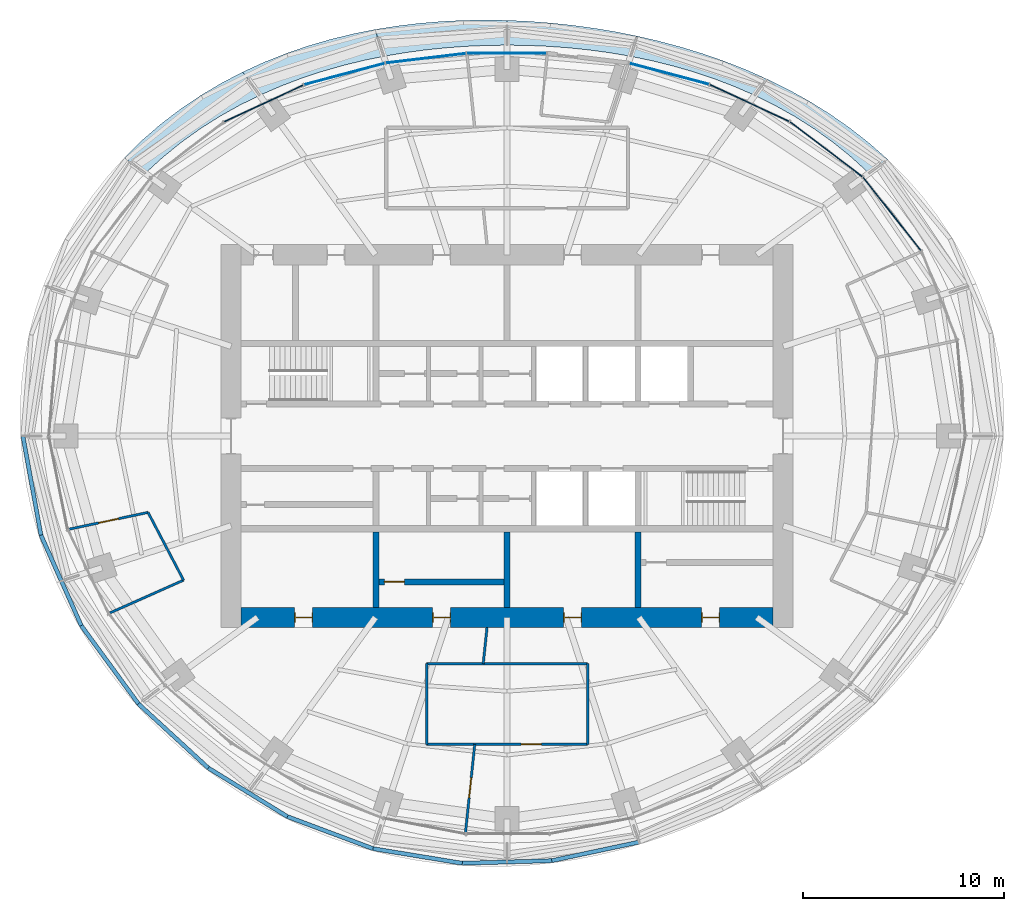
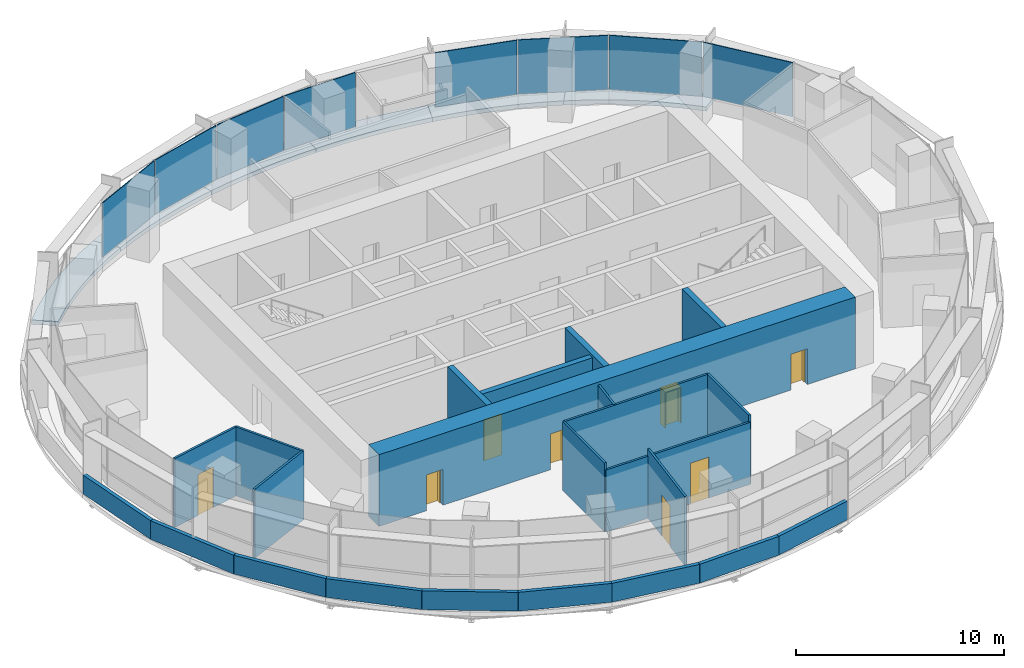
# One storey, part 10 of 15: 23 walls, 8 doors, 8 plates, 6 slabs, 8 openings, 4 elements without a shape of their own.
"""IFC4 building model written with IfcOpenShell, lengths in metres."""

from ifc_helpers import new_model, si_unit, direction, frame, frame_2d, origin, origin_2d, place, context, subcontext, project, spatial, polyline, rectangle, outline, extrude, material, layer, layer_set, type_object, element, fill, aggregate, save


model = new_model("IFC4")

# Units and contexts
model_context = context("Model", 3, precision=1e-05, world=origin(), true_north=direction((0.0, 1.0)))
body_context = subcontext(model_context, "Body", "Model", "MODEL_VIEW")
ifc_project = project(units=[si_unit("LENGTHUNIT", "METRE"), si_unit("AREAUNIT", "SQUARE_METRE"), si_unit("VOLUMEUNIT", "CUBIC_METRE"), si_unit("PLANEANGLEUNIT", "RADIAN"), si_unit("MASSUNIT", "GRAM", prefix="KILO")], contexts=[model_context])

# Site, building, storey
site_placement = place(None, origin())
site = spatial("IfcSite", under=ifc_project, at=site_placement, CompositionType="ELEMENT")
building_placement = place(site_placement, origin())
building = spatial("IfcBuilding", under=site, at=building_placement, Name="Marramba Exchange Tower", CompositionType="ELEMENT")
storey_placement = place(building_placement, frame((0.0, 0.0, 251.800048828125)))
storey = spatial("IfcBuildingStorey", under=building, at=storey_placement, Name="L61", CompositionType="ELEMENT", Elevation=251.800048828125)

# Curtain wall, plates
ifc_material_1 = material(Name="Aluminium framing, bronze anodised", Category="aluminium")
curtain_wall_type = type_object("IfcCurtainWallType", Name="Executive floor ribbon curtain wall", PredefinedType="USERDEFINED", material=ifc_material_1)
curtain_wall_1_placement = place(storey_placement, origin())
curtain_wall_1 = element("IfcCurtainWall", 1, at=curtain_wall_1_placement, inside=storey, type_object=curtain_wall_type, Name="Curtain wall CW5 L61 F01-F05", ObjectType="RIBBON CURTAIN WALL", PredefinedType="USERDEFINED")
ifc_material_2 = material(Name="Laminated double glazed unit 13.52 + 20 + 13.52, bronze tinted, acoustic interlayer", Category="glass")
ifc_layer_1 = layer(ifc_material_2, 0.047119140625)
ifc_layer_set_1 = layer_set([ifc_layer_1], Name="Executive floor ribbon curtain wall panel")
plate_type = type_object("IfcPlateType", Name="Executive floor ribbon curtain wall panel", PredefinedType="CURTAIN_PANEL", material=ifc_layer_set_1)
plate_1_placement = place(storey_placement, frame((19.10302734375, 11.02294921875, 0.85986328125), z_axis=(0.0, 0.0, 1.0), x_axis=(-0.618222857512, 0.786002861604, 0.0)))
plate_1 = element("IfcPlate", 2, at=plate_1_placement, type_object=plate_type, Name="CW5 vision panel", PredefinedType="CURTAIN_PANEL", context=body_context, shape_type="SweptSolid", body=[
    extrude(rectangle(XDim=4.624755859375, YDim=0.047119140625, at=origin_2d()), origin(), (0.0, 0.0, 1.0), 3.179931640625),
])
plate_2_placement = place(storey_placement, frame((15.83544921875, 14.23779296875, 0.85986328125), z_axis=(0.0, 0.0, 1.0), x_axis=(-0.796058900199, 0.605219156516, 0.0)))
plate_2 = element("IfcPlate", 3, at=plate_2_placement, type_object=plate_type, Name="CW5 vision panel", PredefinedType="CURTAIN_PANEL", context=body_context, shape_type="SweptSolid", body=[
    extrude(rectangle(XDim=4.49755859375, YDim=0.047119140625, at=origin_2d()), origin(), (0.0, 0.0, 1.0), 3.179931640625),
])
plate_3_placement = place(storey_placement, frame((12.03076171875, 16.533447265625, 0.85986328125), z_axis=(0.0, 0.0, 1.0), x_axis=(-0.90713057934, 0.420849274712, 0.0)))
plate_3 = element("IfcPlate", 4, at=plate_3_placement, type_object=plate_type, Name="CW5 vision panel", PredefinedType="CURTAIN_PANEL", context=body_context, shape_type="SweptSolid", body=[
    extrude(rectangle(XDim=4.321533203125, YDim=0.047119140625, at=origin_2d()), origin(), (0.0, 0.0, 1.0), 3.179931640625),
])
aggregate(curtain_wall_1, [plate_1, plate_2, plate_3])

# Curtain wall, plate
curtain_wall_2_placement = place(storey_placement, origin())
curtain_wall_2 = element("IfcCurtainWall", 5, at=curtain_wall_2_placement, inside=storey, type_object=curtain_wall_type, Name="Curtain wall CW5 L61 F06", ObjectType="RIBBON CURTAIN WALL", PredefinedType="USERDEFINED")
plate_4_placement = place(storey_placement, frame((8.04345703125, 17.97998046875, 0.85986328125), z_axis=(0.0, 0.0, 1.0), x_axis=(-0.966643517501, 0.256125574813, 0.0)))
plate_4 = element("IfcPlate", 6, at=plate_4_placement, type_object=plate_type, Name="CW5 vision panel", PredefinedType="CURTAIN_PANEL", context=body_context, shape_type="SweptSolid", body=[
    extrude(rectangle(XDim=4.073974609375, YDim=0.047119140625, at=origin_2d()), origin(), (0.0, 0.0, 1.0), 3.179931640625),
])
aggregate(curtain_wall_2, [plate_4])

# Curtain wall, plates
curtain_wall_3_placement = place(storey_placement, origin())
curtain_wall_3 = element("IfcCurtainWall", 7, at=curtain_wall_3_placement, inside=storey, type_object=curtain_wall_type, Name="Curtain wall CW5 L61 F08-F10", ObjectType="RIBBON CURTAIN WALL", PredefinedType="USERDEFINED")
plate_5_placement = place(storey_placement, frame((-0.030029296875, 18.9970703125, 0.85986328125), z_axis=(0.0, 0.0, 1.0), x_axis=(-1.0, 0.0, 0.0)))
plate_5 = element("IfcPlate", 8, at=plate_5_placement, type_object=plate_type, Name="CW5 vision panel", PredefinedType="CURTAIN_PANEL", context=body_context, shape_type="SweptSolid", body=[
    extrude(rectangle(XDim=3.933349609375, YDim=0.047119140625, at=origin_2d()), origin(), (0.0, 0.0, 1.0), 3.179931640625),
])
plate_6_placement = place(storey_placement, frame((-4.036376953125, 18.75341796875, 0.85986328125), z_axis=(0.0, 0.0, 1.0), x_axis=(-0.992947253654, -0.118556954505, 0.0)))
plate_6 = element("IfcPlate", 9, at=plate_6_placement, type_object=plate_type, Name="CW5 vision panel", PredefinedType="CURTAIN_PANEL", context=body_context, shape_type="SweptSolid", body=[
    extrude(rectangle(XDim=3.988525390625, YDim=0.047119140625, at=origin_2d()), origin(), (0.0, 0.0, 1.0), 3.179931640625),
])
plate_7_placement = place(storey_placement, frame((-8.072509765625, 17.97216796875, 0.85986328125), z_axis=(0.0, 0.0, 1.0), x_axis=(-0.966643517501, -0.256125574813, 0.0)))
plate_7 = element("IfcPlate", 10, at=plate_7_placement, type_object=plate_type, Name="CW5 vision panel", PredefinedType="CURTAIN_PANEL", context=body_context, shape_type="SweptSolid", body=[
    extrude(rectangle(XDim=4.134033203125, YDim=0.047119140625, at=origin_2d()), origin(), (0.0, 0.0, 1.0), 3.179931640625),
])
aggregate(curtain_wall_3, [plate_5, plate_6, plate_7])

# Curtain wall, plate
curtain_wall_4_placement = place(storey_placement, origin())
curtain_wall_4 = element("IfcCurtainWall", 11, at=curtain_wall_4_placement, inside=storey, type_object=curtain_wall_type, Name="Curtain wall CW5 L61 F11-F15", ObjectType="RIBBON CURTAIN WALL", PredefinedType="USERDEFINED")
plate_8_placement = place(storey_placement, frame((-12.085205078125, 16.50830078125, 0.85986328125), z_axis=(0.0, 0.0, 1.0), x_axis=(-0.90713057934, -0.420849274712, 0.0)))
plate_8 = element("IfcPlate", 12, at=plate_8_placement, type_object=plate_type, Name="CW5 vision panel", PredefinedType="CURTAIN_PANEL", context=body_context, shape_type="SweptSolid", body=[
    extrude(rectangle(XDim=4.321533203125, YDim=0.047119140625, at=origin_2d()), origin(), (0.0, 0.0, 1.0), 3.179931640625),
])
aggregate(curtain_wall_4, [plate_8])

# Slabs
ifc_material_3 = material(Name="Concrete N40", Category="concrete")
ifc_layer_2 = layer(ifc_material_3, 0.25)
ifc_layer_set_2 = layer_set([ifc_layer_2], Name="Setback roof slab 250")
slab_type = type_object("IfcSlabType", Name="Setback roof slab 250", PredefinedType="ROOF", material=ifc_layer_set_2)
slab_1_placement = place(storey_placement, frame((0.0, 0.0, -0.25)))
element("IfcSlab", 13, at=slab_1_placement, inside=storey, type_object=slab_type, Name="Setback roof slab L61 bay 03 (maintenance access only)", PredefinedType="ROOF", context=body_context, shape_type="SweptSolid", body=[
    extrude(outline(polyline([(12.882568359375, 17.7314453125), (13.936767578125, 17.21044921875), (14.977294921875, 16.634033203125), (15.9990234375, 15.9990234375), (16.996826171875, 15.303955078125), (17.964111328125, 14.547119140625), (18.894287109375, 13.7275390625), (17.95654296875, 13.046142578125), (17.090576171875, 13.83984375), (16.18505859375, 14.572998046875), (15.245849609375, 15.245849609375), (14.279541015625, 15.85888671875), (13.291259765625, 16.413330078125), (12.28662109375, 16.9111328125), (12.882568359375, 17.7314453125)])), origin(), (0.0, 0.0, 1.0), 0.25),
])
slab_2_placement = place(storey_placement, frame((0.0, 0.0, -0.25)))
element("IfcSlab", 14, at=slab_2_placement, inside=storey, type_object=slab_type, Name="Setback roof slab L61 bay 04 (maintenance access only)", PredefinedType="ROOF", context=body_context, shape_type="SweptSolid", body=[
    extrude(outline(polyline([(6.451171875, 19.8544921875), (7.52587890625, 19.60546875), (8.60107421875, 19.318115234375), (9.67578125, 18.989990234375), (10.749267578125, 18.6181640625), (11.819091796875, 18.19970703125), (12.882568359375, 17.7314453125), (12.28662109375, 16.9111328125), (11.270263671875, 17.3544921875), (10.24560546875, 17.745849609375), (9.21630859375, 18.088134765625), (8.185302734375, 18.38427734375), (7.154296875, 18.63720703125), (6.124755859375, 18.849853515625), (6.451171875, 19.8544921875)])), origin(), (0.0, 0.0, 1.0), 0.25),
])
slab_3_placement = place(storey_placement, frame((0.0, 0.0, -0.25)))
element("IfcSlab", 15, at=slab_3_placement, inside=storey, type_object=slab_type, Name="Setback roof slab L61 bay 05 (maintenance access only)", PredefinedType="ROOF", context=body_context, shape_type="SweptSolid", body=[
    extrude(outline(polyline([(1.078857421875, 20.5869140625), (2.1552734375, 20.50537109375), (3.229736328125, 20.39208984375), (4.303466796875, 20.246337890625), (5.377197265625, 20.067626953125), (6.451171875, 19.8544921875), (6.124755859375, 18.849853515625), (5.09765625, 19.024658203125), (4.073486328125, 19.1640625), (3.05224609375, 19.2705078125), (2.033203125, 19.344970703125), (1.01611328125, 19.389404296875), (0.0, 19.404052734375), (0.0, 20.63623046875), (1.078857421875, 20.5869140625)])), origin(), (0.0, 0.0, 1.0), 0.25),
])
slab_4_placement = place(storey_placement, frame((0.0, 0.0, -0.25)))
element("IfcSlab", 16, at=slab_4_placement, inside=storey, type_object=slab_type, Name="Setback roof slab L61 bay 06 (maintenance access only)", PredefinedType="ROOF", context=body_context, shape_type="SweptSolid", body=[
    extrude(outline(polyline([(-6.557373046875, 20.181884765625), (-5.45458984375, 20.35693359375), (-4.35498046875, 20.4892578125), (-3.259765625, 20.580810546875), (-2.168701171875, 20.634765625), (-1.082275390625, 20.652587890625), (0.0, 20.63623046875), (0.0, 19.404052734375), (-1.01611328125, 19.389404296875), (-2.033203125, 19.344970703125), (-3.05224609375, 19.2705078125), (-4.073486328125, 19.1640625), (-5.09765625, 19.024658203125), (-6.124755859375, 18.849853515625), (-6.557373046875, 20.181884765625)])), origin(), (0.0, 0.0, 1.0), 0.25),
])
slab_5_placement = place(storey_placement, frame((0.0, 0.0, -0.25)))
element("IfcSlab", 17, at=slab_5_placement, inside=storey, type_object=slab_type, Name="Setback roof slab L61 bay 07 (maintenance access only)", PredefinedType="ROOF", context=body_context, shape_type="SweptSolid", body=[
    extrude(outline(polyline([(-12.05419921875, 18.561767578125), (-10.96630859375, 18.994384765625), (-9.869384765625, 19.369873046875), (-8.76708984375, 19.691162109375), (-7.662353515625, 19.9609375), (-6.557373046875, 20.181884765625), (-6.124755859375, 18.849853515625), (-7.154296875, 18.63720703125), (-8.185302734375, 18.38427734375), (-9.21630859375, 18.088134765625), (-10.24560546875, 17.745849609375), (-11.270263671875, 17.3544921875), (-12.28662109375, 16.9111328125), (-13.128662109375, 18.070068359375), (-12.05419921875, 18.561767578125)])), origin(), (0.0, 0.0, 1.0), 0.25),
])
slab_6_placement = place(storey_placement, frame((0.0, 0.0, -0.25)))
element("IfcSlab", 18, at=slab_6_placement, inside=storey, type_object=slab_type, Name="Setback roof slab L61 bay 08 (maintenance access only)", PredefinedType="ROOF", context=body_context, shape_type="SweptSolid", body=[
    extrude(outline(polyline([(-18.12548828125, 14.677734375), (-17.195068359375, 15.482421875), (-16.22412109375, 16.22412109375), (-15.218994140625, 16.902587890625), (-14.185546875, 17.517578125), (-13.128662109375, 18.070068359375), (-12.28662109375, 16.9111328125), (-13.291259765625, 16.413330078125), (-14.279541015625, 15.85888671875), (-15.245849609375, 15.245849609375), (-16.18505859375, 14.572998046875), (-17.090576171875, 13.83984375), (-17.95654296875, 13.046142578125), (-19.009521484375, 13.811279296875), (-18.12548828125, 14.677734375)])), origin(), (0.0, 0.0, 1.0), 0.25),
])

# Wall, openings, doors
ifc_material_4 = material(Name="Concrete N50", Category="concrete")
ifc_layer_3 = layer(ifc_material_4, 1.0)
ifc_layer_set_3 = layer_set([ifc_layer_3], Name="Core wall 1000")
wall_type_1 = type_object("IfcWallType", Name="Core wall 1000", PredefinedType="SHEAR", material=ifc_layer_set_3)
wall_1_placement = place(storey_placement, frame((-13.199951171875, -9.0, 0.0), z_axis=(0.0, 0.0, 1.0), x_axis=(1.0, 0.0, 0.0)))
wall_1 = element("IfcWall", 19, at=wall_1_placement, inside=storey, type_object=wall_type_1, Name="Core wall S L61", PredefinedType="SHEAR", context=body_context, shape_type="SweptSolid", body=[
    extrude(rectangle(XDim=26.39990234375, YDim=1.0, at=frame_2d((13.199951171875, 0.0))), origin(), (0.0, 0.0, 1.0), 4.199951171875),
])
opening_1_placement = place(wall_1_placement, frame((2.64990234375, 0.0, 0.0)))
opening_1 = element("IfcOpeningElement", 20, at=opening_1_placement, cuts=wall_1, Name="Opening D5", PredefinedType="OPENING", context=body_context, shape_type="SweptSolid", body=[
    extrude(rectangle(XDim=0.89990234375, YDim=2.10009765625, at=frame_2d((0.449951171875, 1.050048828125))), frame((0.0, 0.510009765625, 0.0), z_axis=(0.0, -1.0, 0.0), x_axis=(1.0, 0.0, 0.0)), (0.0, 0.0, 1.0), 1.02001953125),
])
opening_2_placement = place(wall_1_placement, frame((9.5, 0.0, 0.0)))
opening_2 = element("IfcOpeningElement", 21, at=opening_2_placement, cuts=wall_1, Name="Opening D5", PredefinedType="OPENING", context=body_context, shape_type="SweptSolid", body=[
    extrude(rectangle(XDim=0.89990234375, YDim=2.10009765625, at=frame_2d((0.449951171875, 1.050048828125))), frame((0.0, 0.510009765625, 0.0), z_axis=(0.0, -1.0, 0.0), x_axis=(1.0, 0.0, 0.0)), (0.0, 0.0, 1.0), 1.02001953125),
])
opening_3_placement = place(wall_1_placement, frame((16.0, 0.0, 0.0)))
opening_3 = element("IfcOpeningElement", 22, at=opening_3_placement, cuts=wall_1, Name="Opening D5", PredefinedType="OPENING", context=body_context, shape_type="SweptSolid", body=[
    extrude(rectangle(XDim=0.89990234375, YDim=2.10009765625, at=frame_2d((0.449951171875, 1.050048828125))), frame((0.0, 0.510009765625, 0.0), z_axis=(0.0, -1.0, 0.0), x_axis=(1.0, 0.0, 0.0)), (0.0, 0.0, 1.0), 1.02001953125),
])
opening_4_placement = place(wall_1_placement, frame((22.85009765625, 0.0, 0.0)))
opening_4 = element("IfcOpeningElement", 23, at=opening_4_placement, cuts=wall_1, Name="Opening D5", PredefinedType="OPENING", context=body_context, shape_type="SweptSolid", body=[
    extrude(rectangle(XDim=0.89990234375, YDim=2.10009765625, at=frame_2d((0.449951171875, 1.050048828125))), frame((0.0, 0.510009765625, 0.0), z_axis=(0.0, -1.0, 0.0), x_axis=(1.0, 0.0, 0.0)), (0.0, 0.0, 1.0), 1.02001953125),
])
ifc_material_5 = material(Name="Steel-framed door", Category="steel")
door_type_1 = type_object("IfcDoorType", Name="Service door 900x2100", OperationType="SINGLE_SWING_LEFT", PredefinedType="DOOR", material=ifc_material_5)
door_1_placement = place(opening_1_placement, origin())
door_1 = element("IfcDoor", 24, at=door_1_placement, inside=storey, type_object=door_type_1, Name="D5 ahu L61", OperationType="SINGLE_SWING_LEFT", OverallHeight=2.10009765625, OverallWidth=0.89990234375, PredefinedType="DOOR", context=body_context, shape_type="SweptSolid", body=[
    extrude(rectangle(XDim=0.81982421875, YDim=2.06005859375, at=frame_2d((0.449951171875, 1.030029296875))), frame((0.0, 0.02490234375, 0.0), z_axis=(0.0, -1.0, 0.0), x_axis=(1.0, 0.0, 0.0)), (0.0, 0.0, 1.0), 0.050048828125),
    extrude(rectangle(XDim=0.04, YDim=2.10009765625, at=frame_2d((0.02001953125, 1.050048828125))), frame((0.0, 0.25, 0.0), z_axis=(0.0, -1.0, 0.0), x_axis=(1.0, 0.0, 0.0)), (0.0, 0.0, 1.0), 0.5),
    extrude(rectangle(XDim=0.04, YDim=2.10009765625, at=frame_2d((0.8798828125, 1.050048828125))), frame((0.0, 0.25, 0.0), z_axis=(0.0, -1.0, 0.0), x_axis=(1.0, 0.0, 0.0)), (0.0, 0.0, 1.0), 0.5),
    extrude(rectangle(XDim=0.81982421875, YDim=0.04, at=frame_2d((0.449951171875, 2.080078125))), frame((0.0, 0.25, 0.0), z_axis=(0.0, -1.0, 0.0), x_axis=(1.0, 0.0, 0.0)), (0.0, 0.0, 1.0), 0.5),
])
fill(opening_1, door_1)
door_2_placement = place(opening_2_placement, origin())
door_2 = element("IfcDoor", 25, at=door_2_placement, inside=storey, type_object=door_type_1, Name="D5 store L61", OperationType="SINGLE_SWING_RIGHT", OverallHeight=2.10009765625, OverallWidth=0.89990234375, PredefinedType="DOOR", context=body_context, shape_type="SweptSolid", body=[
    extrude(rectangle(XDim=0.81982421875, YDim=2.06005859375, at=frame_2d((0.449951171875, 1.030029296875))), frame((0.0, 0.02490234375, 0.0), z_axis=(0.0, -1.0, 0.0), x_axis=(1.0, 0.0, 0.0)), (0.0, 0.0, 1.0), 0.050048828125),
    extrude(rectangle(XDim=0.04, YDim=2.10009765625, at=frame_2d((0.02001953125, 1.050048828125))), frame((0.0, 0.25, 0.0), z_axis=(0.0, -1.0, 0.0), x_axis=(1.0, 0.0, 0.0)), (0.0, 0.0, 1.0), 0.5),
    extrude(rectangle(XDim=0.04, YDim=2.10009765625, at=frame_2d((0.8798828125, 1.050048828125))), frame((0.0, 0.25, 0.0), z_axis=(0.0, -1.0, 0.0), x_axis=(1.0, 0.0, 0.0)), (0.0, 0.0, 1.0), 0.5),
    extrude(rectangle(XDim=0.81982421875, YDim=0.04, at=frame_2d((0.449951171875, 2.080078125))), frame((0.0, 0.25, 0.0), z_axis=(0.0, -1.0, 0.0), x_axis=(1.0, 0.0, 0.0)), (0.0, 0.0, 1.0), 0.5),
])
fill(opening_2, door_2)
door_3_placement = place(opening_3_placement, origin())
door_3 = element("IfcDoor", 26, at=door_3_placement, inside=storey, type_object=door_type_1, Name="D5 switch L61", OperationType="SINGLE_SWING_RIGHT", OverallHeight=2.10009765625, OverallWidth=0.89990234375, PredefinedType="DOOR", context=body_context, shape_type="SweptSolid", body=[
    extrude(rectangle(XDim=0.81982421875, YDim=2.06005859375, at=frame_2d((0.449951171875, 1.030029296875))), frame((0.0, 0.02490234375, 0.0), z_axis=(0.0, -1.0, 0.0), x_axis=(1.0, 0.0, 0.0)), (0.0, 0.0, 1.0), 0.050048828125),
    extrude(rectangle(XDim=0.04, YDim=2.10009765625, at=frame_2d((0.02001953125, 1.050048828125))), frame((0.0, 0.25, 0.0), z_axis=(0.0, -1.0, 0.0), x_axis=(1.0, 0.0, 0.0)), (0.0, 0.0, 1.0), 0.5),
    extrude(rectangle(XDim=0.04, YDim=2.10009765625, at=frame_2d((0.8798828125, 1.050048828125))), frame((0.0, 0.25, 0.0), z_axis=(0.0, -1.0, 0.0), x_axis=(1.0, 0.0, 0.0)), (0.0, 0.0, 1.0), 0.5),
    extrude(rectangle(XDim=0.81982421875, YDim=0.04, at=frame_2d((0.449951171875, 2.080078125))), frame((0.0, 0.25, 0.0), z_axis=(0.0, -1.0, 0.0), x_axis=(1.0, 0.0, 0.0)), (0.0, 0.0, 1.0), 0.5),
])
fill(opening_3, door_3)
door_4_placement = place(opening_4_placement, origin())
door_4 = element("IfcDoor", 27, at=door_4_placement, inside=storey, type_object=door_type_1, Name="D5 cstore L61", OperationType="SINGLE_SWING_RIGHT", OverallHeight=2.10009765625, OverallWidth=0.89990234375, PredefinedType="DOOR", context=body_context, shape_type="SweptSolid", body=[
    extrude(rectangle(XDim=0.81982421875, YDim=2.06005859375, at=frame_2d((0.449951171875, 1.030029296875))), frame((0.0, 0.02490234375, 0.0), z_axis=(0.0, -1.0, 0.0), x_axis=(1.0, 0.0, 0.0)), (0.0, 0.0, 1.0), 0.050048828125),
    extrude(rectangle(XDim=0.04, YDim=2.10009765625, at=frame_2d((0.02001953125, 1.050048828125))), frame((0.0, 0.25, 0.0), z_axis=(0.0, -1.0, 0.0), x_axis=(1.0, 0.0, 0.0)), (0.0, 0.0, 1.0), 0.5),
    extrude(rectangle(XDim=0.04, YDim=2.10009765625, at=frame_2d((0.8798828125, 1.050048828125))), frame((0.0, 0.25, 0.0), z_axis=(0.0, -1.0, 0.0), x_axis=(1.0, 0.0, 0.0)), (0.0, 0.0, 1.0), 0.5),
    extrude(rectangle(XDim=0.81982421875, YDim=0.04, at=frame_2d((0.449951171875, 2.080078125))), frame((0.0, 0.25, 0.0), z_axis=(0.0, -1.0, 0.0), x_axis=(1.0, 0.0, 0.0)), (0.0, 0.0, 1.0), 0.5),
])
fill(opening_4, door_4)

# Walls
ifc_layer_4 = layer(ifc_material_4, 0.300048828125)
ifc_layer_set_4 = layer_set([ifc_layer_4], Name="Core wall 300")
wall_type_2 = type_object("IfcWallType", Name="Core wall 300", PredefinedType="SHEAR", material=ifc_layer_set_4)
for number, where, z_axis, x_axis, name in (
    (28, (-6.5, -4.75, 0.0), (0.0, 0.0, 1.0), (0.0, -1.0, 0.0), "Core wall X0Sb L61"),
    (29, (6.5, -4.75, 0.0), (0.0, 0.0, 1.0), (0.0, -1.0, 0.0), "Core wall X1Sb L61"),
    (30, (0.0, -4.75, 0.0), (0.0, 0.0, 1.0), (0.0, -1.0, 0.0), "Core wall MS L61"),
):
    element("IfcWall", number, at=place(storey_placement, frame(where, z_axis=z_axis, x_axis=x_axis)), inside=storey, type_object=wall_type_2, Name=name, PredefinedType="SHEAR", context=body_context, shape_type="SweptSolid", body=[
        extrude(rectangle(XDim=3.75, YDim=0.300048828125, at=frame_2d((1.875, 0.0))), origin(), (0.0, 0.0, 1.0), 4.199951171875),
    ])

# Wall, opening, door
ifc_material_6 = material(Name="Plasterboard on steel studs", Category="steel")
ifc_layer_5 = layer(ifc_material_6, 0.1201171875)
ifc_layer_set_5 = layer_set([ifc_layer_5], Name="Partition 120")
wall_type_3 = type_object("IfcWallType", Name="Partition 120", PredefinedType="PARTITIONING", material=ifc_layer_set_5)
wall_2_placement = place(storey_placement, frame((-17.82421875, -3.78857421875, 0.0), z_axis=(0.0, 0.0, 1.0), x_axis=(-0.978140543132, -0.207944891454, 0.0)))
wall_2 = element("IfcWall", 31, at=wall_2_placement, inside=storey, type_object=wall_type_3, Name="Partition L61 01", PredefinedType="PARTITIONING", context=body_context, shape_type="SweptSolid", body=[
    extrude(rectangle(XDim=4.0, YDim=0.1201171875, at=frame_2d((2.0, 0.0))), origin(), (0.0, 0.0, 1.0), 4.0400390625),
])
opening_5_placement = place(wall_2_placement, frame((1.5, 0.0, 0.0)))
opening_5 = element("IfcOpeningElement", 32, at=opening_5_placement, cuts=wall_2, Name="Opening D9", PredefinedType="OPENING", context=body_context, shape_type="SweptSolid", body=[
    extrude(rectangle(XDim=1.0, YDim=2.39990234375, at=frame_2d((0.5, 1.199951171875))), frame((0.0, 0.070068359375, 0.0), z_axis=(0.0, -1.0, 0.0), x_axis=(1.0, 0.0, 0.0)), (0.0, 0.0, 1.0), 0.14013671875),
])
ifc_material_7 = material(Name="Timber door", Category="wood")
door_type_2 = type_object("IfcDoorType", Name="Room door 1000x2400", OperationType="SINGLE_SWING_LEFT", PredefinedType="DOOR", material=ifc_material_7)
door_5_placement = place(opening_5_placement, origin())
door_5 = element("IfcDoor", 33, at=door_5_placement, inside=storey, type_object=door_type_2, Name="D9 Executive Office 5 L61", OperationType="SINGLE_SWING_RIGHT", OverallHeight=2.39990234375, OverallWidth=1.0, PredefinedType="DOOR", context=body_context, shape_type="SweptSolid", body=[
    extrude(rectangle(XDim=1.0, YDim=2.39990234375, at=frame_2d((0.5, 1.199951171875))), frame((0.0, 0.02490234375, 0.0), z_axis=(0.0, -1.0, 0.0), x_axis=(1.0, 0.0, 0.0)), (0.0, 0.0, 1.0), 0.050048828125),
])
fill(opening_5, door_5)

# Walls
wall_3_placement = place(storey_placement, frame((-16.0625, -7.151611328125, 0.0), z_axis=(0.0, 0.0, 1.0), x_axis=(-0.464033426365, 0.885817689604, 0.0)))
element("IfcWall", 34, at=wall_3_placement, inside=storey, type_object=wall_type_3, Name="Partition L61 02", PredefinedType="PARTITIONING", context=body_context, shape_type="SweptSolid", body=[
    extrude(rectangle(XDim=3.796630859375, YDim=0.1201171875, at=frame_2d((1.8984375, 0.0))), origin(), (0.0, 0.0, 1.0), 4.0400390625),
])
for number, where, z_axis, x_axis, name in (
    (35, (-19.716796875, -8.7783203125, 0.0), (0.0, 0.0, 1.0), (0.913572283964, 0.406676384824, 0.0), "Partition L61 03"),
    (36, (-4.0, -11.300048828125, 0.0), (0.0, 0.0, 1.0), (0.0, -1.0, 0.0), "Partition L61 04"),
):
    element("IfcWall", number, at=place(storey_placement, frame(where, z_axis=z_axis, x_axis=x_axis)), inside=storey, type_object=wall_type_3, Name=name, PredefinedType="PARTITIONING", context=body_context, shape_type="SweptSolid", body=[
        extrude(rectangle(XDim=4.0, YDim=0.1201171875, at=frame_2d((2.0, 0.0))), origin(), (0.0, 0.0, 1.0), 4.0400390625),
    ])
wall_4_placement = place(storey_placement, frame((-1.187744140625, -11.300048828125, 0.0), z_axis=(0.0, 0.0, 1.0), x_axis=(0.104537331683, 0.99452096322, 0.0)))
element("IfcWall", 37, at=wall_4_placement, inside=storey, type_object=wall_type_3, Name="Partition L61 05", PredefinedType="PARTITIONING", context=body_context, shape_type="SweptSolid", body=[
    extrude(rectangle(XDim=1.81005859375, YDim=0.1201171875, at=frame_2d((0.905029296875, 0.0))), origin(), (0.0, 0.0, 1.0), 4.0400390625),
])

# Wall, opening, door
wall_5_placement = place(storey_placement, frame((-2.067138671875, -19.66748046875, 0.0), z_axis=(0.0, 0.0, 1.0), x_axis=(0.104516934496, 0.994523107023, 0.0)))
wall_5 = element("IfcWall", 38, at=wall_5_placement, inside=storey, type_object=wall_type_3, Name="Partition L61 06", PredefinedType="PARTITIONING", context=body_context, shape_type="SweptSolid", body=[
    extrude(rectangle(XDim=4.3916015625, YDim=0.1201171875, at=frame_2d((2.19580078125, 0.0))), origin(), (0.0, 0.0, 1.0), 4.0400390625),
])
opening_6_placement = place(wall_5_placement, frame((1.720947265625, 0.0, 0.0)))
opening_6 = element("IfcOpeningElement", 39, at=opening_6_placement, cuts=wall_5, Name="Opening D9", PredefinedType="OPENING", context=body_context, shape_type="SweptSolid", body=[
    extrude(rectangle(XDim=1.0, YDim=2.39990234375, at=frame_2d((0.5, 1.199951171875))), frame((0.0, 0.070068359375, 0.0), z_axis=(0.0, -1.0, 0.0), x_axis=(1.0, 0.0, 0.0)), (0.0, 0.0, 1.0), 0.14013671875),
])
door_6_placement = place(opening_6_placement, frame((1.0, 0.0, 0.0), z_axis=(0.0, 0.0, 1.0), x_axis=(-1.0, 0.0, 0.0)))
door_6 = element("IfcDoor", 40, at=door_6_placement, inside=storey, type_object=door_type_2, Name="D9 Executive Support Office L61", OperationType="SINGLE_SWING_RIGHT", OverallHeight=2.39990234375, OverallWidth=1.0, PredefinedType="DOOR", context=body_context, shape_type="SweptSolid", body=[
    extrude(rectangle(XDim=1.0, YDim=2.39990234375, at=frame_2d((0.5, 1.199951171875))), frame((0.0, 0.025146484375, 0.0), z_axis=(0.0, -1.0, 0.0), x_axis=(1.0, 0.0, 0.0)), (0.0, 0.0, 1.0), 0.050048828125),
])
fill(opening_6, door_6)

wall_6_placement = place(storey_placement, frame((-4.0, -15.300048828125, 0.0), z_axis=(0.0, 0.0, 1.0), x_axis=(1.0, 0.0, 0.0)))
wall_6 = element("IfcWall", 41, at=wall_6_placement, inside=storey, type_object=wall_type_3, Name="Partition L61 07", PredefinedType="PARTITIONING", context=body_context, shape_type="SweptSolid", body=[
    extrude(rectangle(XDim=8.0, YDim=0.1201171875, at=frame_2d((4.0, 0.0))), origin(), (0.0, 0.0, 1.0), 3.636962890625),
])
opening_7_placement = place(wall_6_placement, frame((4.696044921875, 0.0, 0.0)))
opening_7 = element("IfcOpeningElement", 42, at=opening_7_placement, cuts=wall_6, Name="Opening D9", PredefinedType="OPENING", context=body_context, shape_type="SweptSolid", body=[
    extrude(rectangle(XDim=1.0, YDim=2.39990234375, at=frame_2d((0.5, 1.199951171875))), frame((0.0, 0.070068359375, 0.0), z_axis=(0.0, -1.0, 0.0), x_axis=(1.0, 0.0, 0.0)), (0.0, 0.0, 1.0), 0.14013671875),
])
door_7_placement = place(opening_7_placement, origin())
door_7 = element("IfcDoor", 43, at=door_7_placement, inside=storey, type_object=door_type_2, Name="D9 Pantry L61", OperationType="SINGLE_SWING_RIGHT", OverallHeight=2.39990234375, OverallWidth=1.0, PredefinedType="DOOR", context=body_context, shape_type="SweptSolid", body=[
    extrude(rectangle(XDim=1.0, YDim=2.39990234375, at=frame_2d((0.5, 1.199951171875))), frame((0.0, 0.02490234375, 0.0), z_axis=(0.0, -1.0, 0.0), x_axis=(1.0, 0.0, 0.0)), (0.0, 0.0, 1.0), 0.050048828125),
])
fill(opening_7, door_7)

# Walls
wall_7_placement = place(storey_placement, frame((4.0, -11.300048828125, 0.0), z_axis=(0.0, 0.0, 1.0), x_axis=(-1.0, 0.0, 0.0)))
element("IfcWall", 44, at=wall_7_placement, inside=storey, type_object=wall_type_3, Name="Partition L61 08", PredefinedType="PARTITIONING", context=body_context, shape_type="SweptSolid", body=[
    extrude(rectangle(XDim=8.0, YDim=0.1201171875, at=frame_2d((4.0, 0.0))), origin(), (0.0, 0.0, 1.0), 4.0400390625),
])
wall_8_placement = place(storey_placement, frame((4.0, -15.300048828125, 0.0), z_axis=(0.0, 0.0, 1.0), x_axis=(0.0, 1.0, 0.0)))
element("IfcWall", 45, at=wall_8_placement, inside=storey, type_object=wall_type_3, Name="Partition L61 09", PredefinedType="PARTITIONING", context=body_context, shape_type="SweptSolid", body=[
    extrude(rectangle(XDim=4.0, YDim=0.1201171875, at=frame_2d((2.0, 0.0))), origin(), (0.0, 0.0, 1.0), 4.0400390625),
])
ifc_layer_6 = layer(ifc_material_3, 0.199951171875)
ifc_layer_set_6 = layer_set([ifc_layer_6], Name="Roof parapet 200")
wall_type_4 = type_object("IfcWallType", Name="Roof parapet 200", PredefinedType="PARAPET", material=ifc_layer_set_6)
wall_9_placement = place(storey_placement, frame((-24.035888671875, 0.0, 0.0), z_axis=(0.0, 0.0, 1.0), x_axis=(0.179560077137, -0.983747009499, 0.0)))
element("IfcWall", 46, at=wall_9_placement, inside=storey, type_object=wall_type_4, Name="Parapet L61 F16", PredefinedType="PARAPET", context=body_context, shape_type="SweptSolid", body=[
    extrude(rectangle(XDim=4.99951171875, YDim=0.199951171875, at=frame_2d((2.499755859375, 0.0))), origin(), (0.0, 0.0, 1.0), 1.099853515625),
])
wall_10_placement = place(storey_placement, frame((-23.13818359375, -4.918212890625, 0.0), z_axis=(0.0, 0.0, 1.0), x_axis=(0.406654252218, -0.913582135964, 0.0)))
element("IfcWall", 47, at=wall_10_placement, inside=storey, type_object=wall_type_4, Name="Parapet L61 F17", PredefinedType="PARAPET", context=body_context, shape_type="SweptSolid", body=[
    extrude(rectangle(XDim=4.918212890625, YDim=0.199951171875, at=frame_2d((2.458984375, 0.0))), origin(), (0.0, 0.0, 1.0), 1.099853515625),
])
wall_11_placement = place(storey_placement, frame((-21.13818359375, -9.411376953125, 0.0), z_axis=(0.0, 0.0, 1.0), x_axis=(0.590318108824, -0.807170694708, 0.0)))
element("IfcWall", 48, at=wall_11_placement, inside=storey, type_object=wall_type_4, Name="Parapet L61 F18", PredefinedType="PARAPET", context=body_context, shape_type="SweptSolid", body=[
    extrude(rectangle(XDim=4.810791015625, YDim=0.199951171875, at=frame_2d((2.4052734375, 0.0))), origin(), (0.0, 0.0, 1.0), 1.099853515625),
])
wall_12_placement = place(storey_placement, frame((-18.29833984375, -13.29443359375, 0.0), z_axis=(0.0, 0.0, 1.0), x_axis=(0.736550472905, -0.676382584683, 0.0)))
element("IfcWall", 49, at=wall_12_placement, inside=storey, type_object=wall_type_4, Name="Parapet L61 F19", PredefinedType="PARAPET", context=body_context, shape_type="SweptSolid", body=[
    extrude(rectangle(XDim=4.702880859375, YDim=0.199951171875, at=frame_2d((2.3515625, 0.0))), origin(), (0.0, 0.0, 1.0), 1.099853515625),
])
wall_13_placement = place(storey_placement, frame((-14.83447265625, -16.475341796875, 0.0), z_axis=(0.0, 0.0, 1.0), x_axis=(0.851883651468, -0.523731080194, 0.0)))
element("IfcWall", 50, at=wall_13_placement, inside=storey, type_object=wall_type_4, Name="Parapet L61 F20", PredefinedType="PARAPET", context=body_context, shape_type="SweptSolid", body=[
    extrude(rectangle(XDim=4.611328125, YDim=0.199951171875, at=frame_2d((2.3056640625, 0.0))), origin(), (0.0, 0.0, 1.0), 1.099853515625),
])
wall_14_placement = place(storey_placement, frame((-10.90625, -18.890380859375, 0.0), z_axis=(0.0, 0.0, 1.0), x_axis=(0.936717622364, -0.350085840834, 0.0)))
element("IfcWall", 51, at=wall_14_placement, inside=storey, type_object=wall_type_4, Name="Parapet L61 F21", PredefinedType="PARAPET", context=body_context, shape_type="SweptSolid", body=[
    extrude(rectangle(XDim=4.539306640625, YDim=0.199951171875, at=frame_2d((2.26953125, 0.0))), origin(), (0.0, 0.0, 1.0), 1.099853515625),
])
wall_15_placement = place(storey_placement, frame((-6.654296875, -20.4794921875, 0.0), z_axis=(0.0, 0.0, 1.0), x_axis=(0.986850594176, -0.161635097595, 0.0)))
element("IfcWall", 52, at=wall_15_placement, inside=storey, type_object=wall_type_4, Name="Parapet L61 F22", PredefinedType="PARAPET", context=body_context, shape_type="SweptSolid", body=[
    extrude(rectangle(XDim=4.484619140625, YDim=0.199951171875, at=frame_2d((2.2421875, 0.0))), origin(), (0.0, 0.0, 1.0), 1.099853515625),
])
wall_16_placement = place(storey_placement, frame((-2.228759765625, -21.204345703125, 0.0), z_axis=(0.0, 0.0, 1.0), x_axis=(0.999577945906, 0.02905047431, 0.0)))
element("IfcWall", 53, at=wall_16_placement, inside=storey, type_object=wall_type_4, Name="Parapet L61 F23", PredefinedType="PARAPET", context=body_context, shape_type="SweptSolid", body=[
    extrude(rectangle(XDim=4.44580078125, YDim=0.199951171875, at=frame_2d((2.222900390625, 0.0))), origin(), (0.0, 0.0, 1.0), 1.099853515625),
])
wall_17_placement = place(storey_placement, frame((2.215087890625, -21.0751953125, 0.0), z_axis=(0.0, 0.0, 1.0), x_axis=(0.978060556475, 0.208320781173, 0.0)))
element("IfcWall", 54, at=wall_17_placement, inside=storey, type_object=wall_type_4, Name="Parapet L61 F24", PredefinedType="PARAPET", context=body_context, shape_type="SweptSolid", body=[
    extrude(rectangle(XDim=4.429931640625, YDim=0.199951171875, at=frame_2d((2.21484375, 0.0))), origin(), (0.0, 0.0, 1.0), 1.099853515625),
])

# Wall, opening, door
ifc_material_8 = material(Name="Plasterboard on steel studs, insulated, unrated", Category="steel")
ifc_layer_7 = layer(ifc_material_8, 0.300048828125)
ifc_layer_set_7 = layer_set([ifc_layer_7], Name="Store partition 300")
wall_type_5 = type_object("IfcWallType", Name="Store partition 300", PredefinedType="PARTITIONING", material=ifc_layer_set_7)
wall_18_placement = place(storey_placement, frame((-6.35009765625, -7.239990234375, 0.0), z_axis=(0.0, 0.0, 1.0), x_axis=(1.0, 0.0, 0.0)))
wall_18 = element("IfcWall", 55, at=wall_18_placement, inside=storey, type_object=wall_type_5, Name="Store partition L61 store", PredefinedType="PARTITIONING", context=body_context, shape_type="SweptSolid", body=[
    extrude(rectangle(XDim=6.2001953125, YDim=0.300048828125, at=frame_2d((3.10009765625, 0.0))), origin(), (0.0, 0.0, 1.0), 4.0400390625),
])
opening_8_placement = place(wall_18_placement, frame((0.25, 0.0, 0.0)))
opening_8 = element("IfcOpeningElement", 56, at=opening_8_placement, cuts=wall_18, Name="Opening D9", PredefinedType="OPENING", context=body_context, shape_type="SweptSolid", body=[
    extrude(rectangle(XDim=1.0, YDim=2.39990234375, at=frame_2d((0.5, 1.199951171875))), frame((0.0, 0.159912109375, 0.0), z_axis=(0.0, -1.0, 0.0), x_axis=(1.0, 0.0, 0.0)), (0.0, 0.0, 1.0), 0.320068359375),
])
door_8_placement = place(opening_8_placement, frame((1.0, 0.0, 0.0), z_axis=(0.0, 0.0, 1.0), x_axis=(-1.0, 0.0, 0.0)))
door_8 = element("IfcDoor", 57, at=door_8_placement, inside=storey, type_object=door_type_2, Name="D9 stationery store L61", OperationType="SINGLE_SWING_RIGHT", OverallHeight=2.39990234375, OverallWidth=1.0, PredefinedType="DOOR", context=body_context, shape_type="SweptSolid", body=[
    extrude(rectangle(XDim=1.0, YDim=2.39990234375, at=frame_2d((0.5, 1.199951171875))), frame((0.0, 0.025146484375, 0.0), z_axis=(0.0, -1.0, 0.0), x_axis=(1.0, 0.0, 0.0)), (0.0, 0.0, 1.0), 0.050048828125),
])
fill(opening_8, door_8)

save(model, "model.ifc")
